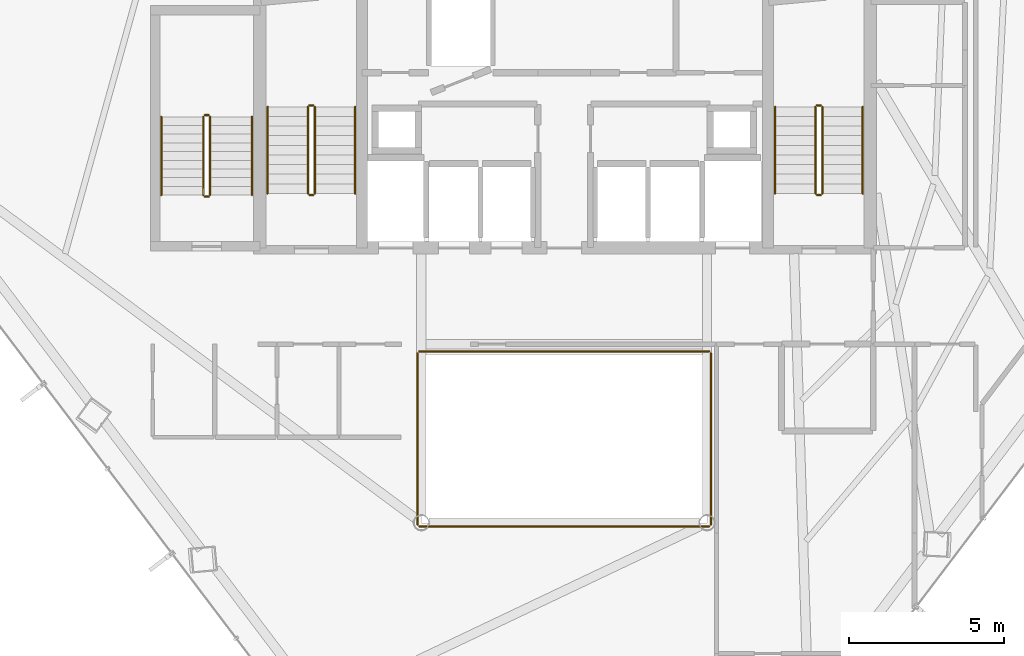
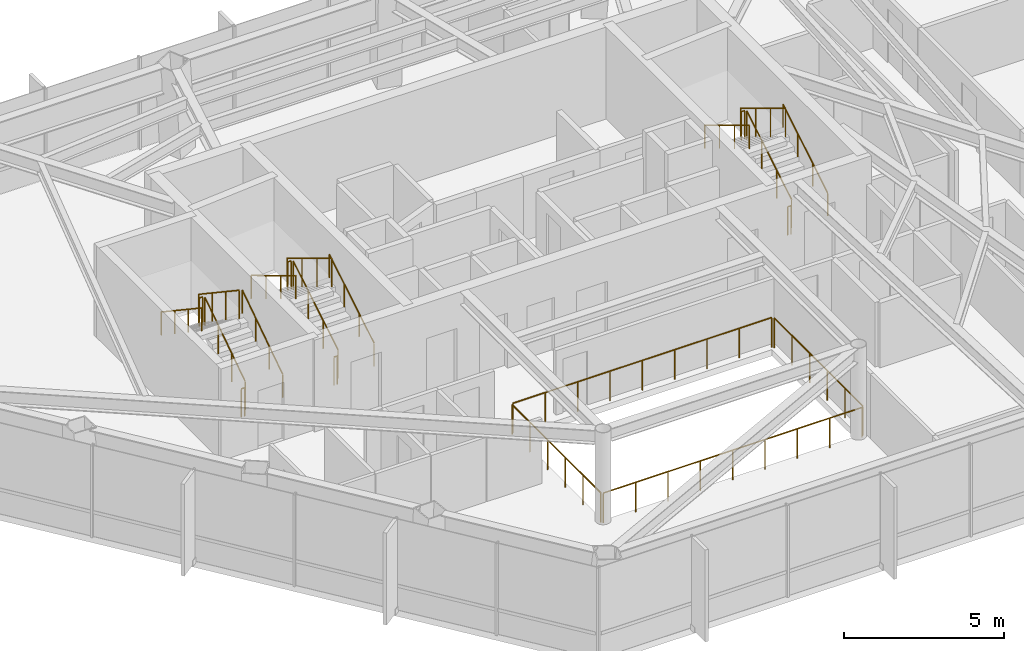
# One storey, part 29 of 29: 22 railings.
"""IFC4 building model written with IfcOpenShell, lengths in metres."""

from ifc_helpers import new_model, si_unit, direction, frame, origin, origin_2d, place, context, subcontext, project, spatial, circle, extrude, material, type_object, element, save


model = new_model("IFC4")

# Units and contexts
model_context = context("Model", 3, precision=1e-05, world=origin(), true_north=direction((0.0, 1.0)))
body_context = subcontext(model_context, "Body", "Model", "MODEL_VIEW")
ifc_project = project(units=[si_unit("LENGTHUNIT", "METRE"), si_unit("AREAUNIT", "SQUARE_METRE"), si_unit("VOLUMEUNIT", "CUBIC_METRE"), si_unit("PLANEANGLEUNIT", "RADIAN"), si_unit("MASSUNIT", "GRAM", prefix="KILO")], contexts=[model_context])

# Site, building, storey
site_placement = place(None, origin())
site = spatial("IfcSite", under=ifc_project, at=site_placement, CompositionType="ELEMENT")
building_placement = place(site_placement, origin())
building = spatial("IfcBuilding", under=site, at=building_placement, Name="Zarrinselat Tower", CompositionType="ELEMENT")
storey_placement = place(building_placement, frame((0.0, 0.0, 142.1201171875)))
storey = spatial("IfcBuildingStorey", under=building, at=storey_placement, Name="L34", CompositionType="ELEMENT", Elevation=142.1201171875)

# Railings
ifc_material_1 = material(Name="Double Low-E Laminated Solar Glass", Category="glass")
railing_type_1 = type_object("IfcRailingType", Name="RLG-ATRIUM-BAL", PredefinedType="BALUSTRADE", material=ifc_material_1)
railing_1_placement = place(storey_placement, frame((33.739990234375, 24.280029296875, 0.0)))
element("IfcRailing", 1, at=railing_1_placement, inside=storey, type_object=railing_type_1, Name="L34 Atrium Void Glass Balustrade S", PredefinedType="BALUSTRADE", context=body_context, shape_type="SweptSolid", body=[
    extrude(circle(Radius=0.02392578125, at=origin_2d()), frame((0.0, 0.0, 1.1259765625), z_axis=(1.0, 0.0, 0.0), x_axis=(0.0, 1.0, 0.0)), (0.0, 0.0, 1.0), 9.320068359375),
    extrude(circle(Radius=0.02099609375, at=origin_2d()), origin(), (0.0, 0.0, 1.0), 1.099853515625),
    extrude(circle(Radius=0.02099609375, at=origin_2d()), frame((1.1650390625, 0.0, 0.0)), (0.0, 0.0, 1.0), 1.099853515625),
    extrude(circle(Radius=0.02099609375, at=origin_2d()), frame((2.330078125, 0.0, 0.0)), (0.0, 0.0, 1.0), 1.099853515625),
    extrude(circle(Radius=0.02099609375, at=origin_2d()), frame((3.4951171875, 0.0, 0.0)), (0.0, 0.0, 1.0), 1.099853515625),
    extrude(circle(Radius=0.02099609375, at=origin_2d()), frame((4.66015625, 0.0, 0.0)), (0.0, 0.0, 1.0), 1.099853515625),
    extrude(circle(Radius=0.02099609375, at=origin_2d()), frame((5.824951171875, 0.0, 0.0)), (0.0, 0.0, 1.0), 1.099853515625),
    extrude(circle(Radius=0.02099609375, at=origin_2d()), frame((6.989990234375, 0.0, 0.0)), (0.0, 0.0, 1.0), 1.099853515625),
    extrude(circle(Radius=0.02099609375, at=origin_2d()), frame((8.155029296875, 0.0, 0.0)), (0.0, 0.0, 1.0), 1.099853515625),
    extrude(circle(Radius=0.02099609375, at=origin_2d()), frame((9.320068359375, 0.0, 0.0)), (0.0, 0.0, 1.0), 1.099853515625),
])
railing_2_placement = place(storey_placement, frame((43.1201171875, 24.340087890625, 0.0)))
element("IfcRailing", 2, at=railing_2_placement, inside=storey, type_object=railing_type_1, Name="L34 Atrium Void Glass Balustrade E", PredefinedType="BALUSTRADE", context=body_context, shape_type="SweptSolid", body=[
    extrude(circle(Radius=0.02392578125, at=origin_2d()), frame((0.0, 0.0, 1.1259765625), z_axis=(0.0, 1.0, 0.0), x_axis=(-1.0, 0.0, 0.0)), (0.0, 0.0, 1.0), 5.52001953125),
    extrude(circle(Radius=0.02099609375, at=origin_2d()), origin(), (0.0, 0.0, 1.0), 1.099853515625),
    extrude(circle(Radius=0.02099609375, at=origin_2d()), frame((0.0, 1.10400390625, 0.0)), (0.0, 0.0, 1.0), 1.099853515625),
    extrude(circle(Radius=0.02099609375, at=origin_2d()), frame((0.0, 2.2080078125, 0.0)), (0.0, 0.0, 1.0), 1.099853515625),
    extrude(circle(Radius=0.02099609375, at=origin_2d()), frame((0.0, 3.31201171875, 0.0)), (0.0, 0.0, 1.0), 1.099853515625),
    extrude(circle(Radius=0.02099609375, at=origin_2d()), frame((0.0, 4.416015625, 0.0)), (0.0, 0.0, 1.0), 1.099853515625),
    extrude(circle(Radius=0.02099609375, at=origin_2d()), frame((0.0, 5.52001953125, 0.0)), (0.0, 0.0, 1.0), 1.099853515625),
])
railing_3_placement = place(storey_placement, frame((43.06005859375, 29.919921875, 0.0)))
element("IfcRailing", 3, at=railing_3_placement, inside=storey, type_object=railing_type_1, Name="L34 Atrium Void Glass Balustrade N", PredefinedType="BALUSTRADE", context=body_context, shape_type="SweptSolid", body=[
    extrude(circle(Radius=0.02392578125, at=origin_2d()), frame((0.0, 0.0, 1.1259765625), z_axis=(-1.0, 0.0, 0.0), x_axis=(0.0, -1.0, 0.0)), (0.0, 0.0, 1.0), 9.320068359375),
    extrude(circle(Radius=0.02099609375, at=origin_2d()), origin(), (0.0, 0.0, 1.0), 1.099853515625),
    extrude(circle(Radius=0.02099609375, at=origin_2d()), frame((-1.1650390625, 0.0, 0.0)), (0.0, 0.0, 1.0), 1.099853515625),
    extrude(circle(Radius=0.02099609375, at=origin_2d()), frame((-2.330078125, 0.0, 0.0)), (0.0, 0.0, 1.0), 1.099853515625),
    extrude(circle(Radius=0.02099609375, at=origin_2d()), frame((-3.4951171875, 0.0, 0.0)), (0.0, 0.0, 1.0), 1.099853515625),
    extrude(circle(Radius=0.02099609375, at=origin_2d()), frame((-4.66015625, 0.0, 0.0)), (0.0, 0.0, 1.0), 1.099853515625),
    extrude(circle(Radius=0.02099609375, at=origin_2d()), frame((-5.824951171875, 0.0, 0.0)), (0.0, 0.0, 1.0), 1.099853515625),
    extrude(circle(Radius=0.02099609375, at=origin_2d()), frame((-6.989990234375, 0.0, 0.0)), (0.0, 0.0, 1.0), 1.099853515625),
    extrude(circle(Radius=0.02099609375, at=origin_2d()), frame((-8.155029296875, 0.0, 0.0)), (0.0, 0.0, 1.0), 1.099853515625),
    extrude(circle(Radius=0.02099609375, at=origin_2d()), frame((-9.320068359375, 0.0, 0.0)), (0.0, 0.0, 1.0), 1.099853515625),
])
railing_4_placement = place(storey_placement, frame((33.679931640625, 29.860107421875, 0.0)))
element("IfcRailing", 4, at=railing_4_placement, inside=storey, type_object=railing_type_1, Name="L34 Atrium Void Glass Balustrade W", PredefinedType="BALUSTRADE", context=body_context, shape_type="SweptSolid", body=[
    extrude(circle(Radius=0.02392578125, at=origin_2d()), frame((0.0, 0.0, 1.1259765625), z_axis=(0.0, -1.0, 0.0), x_axis=(1.0, 0.0, 0.0)), (0.0, 0.0, 1.0), 5.52001953125),
    extrude(circle(Radius=0.02099609375, at=origin_2d()), origin(), (0.0, 0.0, 1.0), 1.099853515625),
    extrude(circle(Radius=0.02099609375, at=origin_2d()), frame((0.0, -1.10400390625, 0.0)), (0.0, 0.0, 1.0), 1.099853515625),
    extrude(circle(Radius=0.02099609375, at=origin_2d()), frame((0.0, -2.2080078125, 0.0)), (0.0, 0.0, 1.0), 1.099853515625),
    extrude(circle(Radius=0.02099609375, at=origin_2d()), frame((0.0, -3.31201171875, 0.0)), (0.0, 0.0, 1.0), 1.099853515625),
    extrude(circle(Radius=0.02099609375, at=origin_2d()), frame((0.0, -4.416015625, 0.0)), (0.0, 0.0, 1.0), 1.099853515625),
    extrude(circle(Radius=0.02099609375, at=origin_2d()), frame((0.0, -5.52001953125, 0.0)), (0.0, 0.0, 1.0), 1.099853515625),
])
ifc_material_2 = material(Name="Steel S355J2", Category="steel")
railing_type_2 = type_object("IfcRailingType", Name="RLG-STAIR-GUARD", PredefinedType="GUARDRAIL", material=ifc_material_2)
railing_5_placement = place(storey_placement, frame((30.3701171875, 35.0, 0.186767578125)))
element("IfcRailing", 5, at=railing_5_placement, inside=storey, type_object=railing_type_2, Name="L34 ST-1 stair guard 1", PredefinedType="GUARDRAIL", context=body_context, shape_type="SweptSolid", body=[
    extrude(circle(Radius=0.02392578125, at=origin_2d()), frame((0.0, 0.0, 1.076171875), z_axis=(0.0, 0.856260799362, 0.516543747882), x_axis=(-1.0, 0.0, 0.0)), (0.0, 0.0, 1.0), 3.25830078125),
    extrude(circle(Radius=0.02099609375, at=origin_2d()), origin(), (0.0, 0.0, 1.0), 1.050048828125),
    extrude(circle(Radius=0.02099609375, at=origin_2d()), frame((0.0, 0.929931640625, 0.56103515625)), (0.0, 0.0, 1.0), 1.050048828125),
    extrude(circle(Radius=0.02099609375, at=origin_2d()), frame((0.0, 1.860107421875, 1.1220703125)), (0.0, 0.0, 1.0), 1.050048828125),
    extrude(circle(Radius=0.02099609375, at=origin_2d()), frame((0.0, 2.7900390625, 1.68310546875)), (0.0, 0.0, 1.0), 1.050048828125),
])
railing_6_placement = place(storey_placement, frame((30.320068359375, 37.840087890625, 1.869873046875)))
element("IfcRailing", 6, at=railing_6_placement, inside=storey, type_object=railing_type_2, Name="L34 ST-1 stair guard 2", PredefinedType="GUARDRAIL", context=body_context, shape_type="SweptSolid", body=[
    extrude(circle(Radius=0.02392578125, at=origin_2d()), frame((0.0, 0.0, 1.076171875), z_axis=(-1.0, 0.0, 0.0), x_axis=(0.0, -1.0, 0.0)), (0.0, 0.0, 1.0), 0.1201171875),
    extrude(circle(Radius=0.02099609375, at=origin_2d()), origin(), (0.0, 0.0, 1.0), 1.050048828125),
    extrude(circle(Radius=0.02099609375, at=origin_2d()), frame((-0.1201171875, 0.0, 0.0)), (0.0, 0.0, 1.0), 1.050048828125),
])
railing_7_placement = place(storey_placement, frame((30.14990234375, 37.7900390625, 2.056884765625)))
element("IfcRailing", 7, at=railing_7_placement, inside=storey, type_object=railing_type_2, Name="L34 ST-1 stair guard 3", PredefinedType="GUARDRAIL", context=body_context, shape_type="SweptSolid", body=[
    extrude(circle(Radius=0.02392578125, at=origin_2d()), frame((0.0, 0.0, 1.076171875), z_axis=(0.0, -0.856260799362, 0.516543747882), x_axis=(1.0, 0.0, 0.0)), (0.0, 0.0, 1.0), 3.25830078125),
    extrude(circle(Radius=0.02099609375, at=origin_2d()), origin(), (0.0, 0.0, 1.0), 1.050048828125),
    extrude(circle(Radius=0.02099609375, at=origin_2d()), frame((0.0, -0.929931640625, 0.56103515625)), (0.0, 0.0, 1.0), 1.050048828125),
    extrude(circle(Radius=0.02099609375, at=origin_2d()), frame((0.0, -1.860107421875, 1.1220703125)), (0.0, 0.0, 1.0), 1.050048828125),
    extrude(circle(Radius=0.02099609375, at=origin_2d()), frame((0.0, -2.7900390625, 1.68310546875)), (0.0, 0.0, 1.0), 1.050048828125),
])
railing_8_placement = place(storey_placement, frame((30.320068359375, 34.949951171875, 0.0)))
element("IfcRailing", 8, at=railing_8_placement, inside=storey, type_object=railing_type_2, Name="L34 ST-1 stair guard 4", PredefinedType="GUARDRAIL", context=body_context, shape_type="SweptSolid", body=[
    extrude(circle(Radius=0.02392578125, at=origin_2d()), frame((0.0, 0.0, 1.076171875), z_axis=(-1.0, 0.0, 0.0), x_axis=(0.0, -1.0, 0.0)), (0.0, 0.0, 1.0), 0.1201171875),
    extrude(circle(Radius=0.02099609375, at=origin_2d()), origin(), (0.0, 0.0, 1.0), 1.050048828125),
    extrude(circle(Radius=0.02099609375, at=origin_2d()), frame((-0.1201171875, 0.0, 0.0)), (0.0, 0.0, 1.0), 1.050048828125),
])
railing_9_placement = place(storey_placement, frame((46.7099609375, 35.0, 0.186767578125)))
element("IfcRailing", 9, at=railing_9_placement, inside=storey, type_object=railing_type_2, Name="L34 ST-2 stair guard 1", PredefinedType="GUARDRAIL", context=body_context, shape_type="SweptSolid", body=[
    extrude(circle(Radius=0.02392578125, at=origin_2d()), frame((0.0, 0.0, 1.076171875), z_axis=(0.0, 0.856260799362, 0.516543747882), x_axis=(-1.0, 0.0, 0.0)), (0.0, 0.0, 1.0), 3.25830078125),
    extrude(circle(Radius=0.02099609375, at=origin_2d()), origin(), (0.0, 0.0, 1.0), 1.050048828125),
    extrude(circle(Radius=0.02099609375, at=origin_2d()), frame((0.0, 0.929931640625, 0.56103515625)), (0.0, 0.0, 1.0), 1.050048828125),
    extrude(circle(Radius=0.02099609375, at=origin_2d()), frame((0.0, 1.860107421875, 1.1220703125)), (0.0, 0.0, 1.0), 1.050048828125),
    extrude(circle(Radius=0.02099609375, at=origin_2d()), frame((0.0, 2.7900390625, 1.68310546875)), (0.0, 0.0, 1.0), 1.050048828125),
])
railing_10_placement = place(storey_placement, frame((46.659912109375, 37.840087890625, 1.869873046875)))
element("IfcRailing", 10, at=railing_10_placement, inside=storey, type_object=railing_type_2, Name="L34 ST-2 stair guard 2", PredefinedType="GUARDRAIL", context=body_context, shape_type="SweptSolid", body=[
    extrude(circle(Radius=0.02392578125, at=origin_2d()), frame((0.0, 0.0, 1.076171875), z_axis=(-1.0, 0.0, 0.0), x_axis=(0.0, -1.0, 0.0)), (0.0, 0.0, 1.0), 0.119873046875),
    extrude(circle(Radius=0.02099609375, at=origin_2d()), origin(), (0.0, 0.0, 1.0), 1.050048828125),
    extrude(circle(Radius=0.02099609375, at=origin_2d()), frame((-0.119873046875, 0.0, 0.0)), (0.0, 0.0, 1.0), 1.050048828125),
])
railing_11_placement = place(storey_placement, frame((46.489990234375, 37.7900390625, 2.056884765625)))
element("IfcRailing", 11, at=railing_11_placement, inside=storey, type_object=railing_type_2, Name="L34 ST-2 stair guard 3", PredefinedType="GUARDRAIL", context=body_context, shape_type="SweptSolid", body=[
    extrude(circle(Radius=0.02392578125, at=origin_2d()), frame((0.0, 0.0, 1.076171875), z_axis=(0.0, -0.856260799362, 0.516543747882), x_axis=(1.0, 0.0, 0.0)), (0.0, 0.0, 1.0), 3.25830078125),
    extrude(circle(Radius=0.02099609375, at=origin_2d()), origin(), (0.0, 0.0, 1.0), 1.050048828125),
    extrude(circle(Radius=0.02099609375, at=origin_2d()), frame((0.0, -0.929931640625, 0.56103515625)), (0.0, 0.0, 1.0), 1.050048828125),
    extrude(circle(Radius=0.02099609375, at=origin_2d()), frame((0.0, -1.860107421875, 1.1220703125)), (0.0, 0.0, 1.0), 1.050048828125),
    extrude(circle(Radius=0.02099609375, at=origin_2d()), frame((0.0, -2.7900390625, 1.68310546875)), (0.0, 0.0, 1.0), 1.050048828125),
])
railing_12_placement = place(storey_placement, frame((46.659912109375, 34.949951171875, 0.0)))
element("IfcRailing", 12, at=railing_12_placement, inside=storey, type_object=railing_type_2, Name="L34 ST-2 stair guard 4", PredefinedType="GUARDRAIL", context=body_context, shape_type="SweptSolid", body=[
    extrude(circle(Radius=0.02392578125, at=origin_2d()), frame((0.0, 0.0, 1.076171875), z_axis=(-1.0, 0.0, 0.0), x_axis=(0.0, -1.0, 0.0)), (0.0, 0.0, 1.0), 0.119873046875),
    extrude(circle(Radius=0.02099609375, at=origin_2d()), origin(), (0.0, 0.0, 1.0), 1.050048828125),
    extrude(circle(Radius=0.02099609375, at=origin_2d()), frame((-0.119873046875, 0.0, 0.0)), (0.0, 0.0, 1.0), 1.050048828125),
])
railing_13_placement = place(storey_placement, frame((27.0, 34.949951171875, 0.186767578125)))
element("IfcRailing", 13, at=railing_13_placement, inside=storey, type_object=railing_type_2, Name="L34 ST-3 stair guard 1", PredefinedType="GUARDRAIL", context=body_context, shape_type="SweptSolid", body=[
    extrude(circle(Radius=0.02392578125, at=origin_2d()), frame((0.0, 0.0, 1.076171875), z_axis=(0.0, 0.831579006341, 0.555406478368), x_axis=(-1.0, 0.0, 0.0)), (0.0, 0.0, 1.0), 3.030517578125),
    extrude(circle(Radius=0.02099609375, at=origin_2d()), origin(), (0.0, 0.0, 1.0), 1.050048828125),
    extrude(circle(Radius=0.02099609375, at=origin_2d()), frame((0.0, 0.840087890625, 0.56103515625)), (0.0, 0.0, 1.0), 1.050048828125),
    extrude(circle(Radius=0.02099609375, at=origin_2d()), frame((0.0, 1.679931640625, 1.1220703125)), (0.0, 0.0, 1.0), 1.050048828125),
    extrude(circle(Radius=0.02099609375, at=origin_2d()), frame((0.0, 2.52001953125, 1.68310546875)), (0.0, 0.0, 1.0), 1.050048828125),
])
railing_14_placement = place(storey_placement, frame((26.949951171875, 37.52001953125, 1.869873046875)))
element("IfcRailing", 14, at=railing_14_placement, inside=storey, type_object=railing_type_2, Name="L34 ST-3 stair guard 2", PredefinedType="GUARDRAIL", context=body_context, shape_type="SweptSolid", body=[
    extrude(circle(Radius=0.02392578125, at=origin_2d()), frame((0.0, 0.0, 1.076171875), z_axis=(-1.0, 0.0, 0.0), x_axis=(0.0, -1.0, 0.0)), (0.0, 0.0, 1.0), 0.119873046875),
    extrude(circle(Radius=0.02099609375, at=origin_2d()), origin(), (0.0, 0.0, 1.0), 1.050048828125),
    extrude(circle(Radius=0.02099609375, at=origin_2d()), frame((-0.119873046875, 0.0, 0.0)), (0.0, 0.0, 1.0), 1.050048828125),
])
railing_15_placement = place(storey_placement, frame((26.780029296875, 37.469970703125, 2.056884765625)))
element("IfcRailing", 15, at=railing_15_placement, inside=storey, type_object=railing_type_2, Name="L34 ST-3 stair guard 3", PredefinedType="GUARDRAIL", context=body_context, shape_type="SweptSolid", body=[
    extrude(circle(Radius=0.02392578125, at=origin_2d()), frame((0.0, 0.0, 1.076171875), z_axis=(0.0, -0.831579006341, 0.555406478368), x_axis=(1.0, 0.0, 0.0)), (0.0, 0.0, 1.0), 3.030517578125),
    extrude(circle(Radius=0.02099609375, at=origin_2d()), origin(), (0.0, 0.0, 1.0), 1.050048828125),
    extrude(circle(Radius=0.02099609375, at=origin_2d()), frame((0.0, -0.840087890625, 0.56103515625)), (0.0, 0.0, 1.0), 1.050048828125),
    extrude(circle(Radius=0.02099609375, at=origin_2d()), frame((0.0, -1.679931640625, 1.1220703125)), (0.0, 0.0, 1.0), 1.050048828125),
    extrude(circle(Radius=0.02099609375, at=origin_2d()), frame((0.0, -2.52001953125, 1.68310546875)), (0.0, 0.0, 1.0), 1.050048828125),
])
railing_16_placement = place(storey_placement, frame((26.949951171875, 34.89990234375, 0.0)))
element("IfcRailing", 16, at=railing_16_placement, inside=storey, type_object=railing_type_2, Name="L34 ST-3 stair guard 4", PredefinedType="GUARDRAIL", context=body_context, shape_type="SweptSolid", body=[
    extrude(circle(Radius=0.02392578125, at=origin_2d()), frame((0.0, 0.0, 1.076171875), z_axis=(-1.0, 0.0, 0.0), x_axis=(0.0, -1.0, 0.0)), (0.0, 0.0, 1.0), 0.119873046875),
    extrude(circle(Radius=0.02099609375, at=origin_2d()), origin(), (0.0, 0.0, 1.0), 1.050048828125),
    extrude(circle(Radius=0.02099609375, at=origin_2d()), frame((-0.119873046875, 0.0, 0.0)), (0.0, 0.0, 1.0), 1.050048828125),
])
ifc_material_3 = material(Name="Steel S355J2", Category="steel")
railing_type_3 = type_object("IfcRailingType", Name="RLG-STAIR-HAND", PredefinedType="HANDRAIL", material=ifc_material_3)
railing_17_placement = place(storey_placement, frame((31.669921875, 35.0, 0.186767578125)))
element("IfcRailing", 17, at=railing_17_placement, inside=storey, type_object=railing_type_3, Name="L34 ST-1 stair handrail 1", PredefinedType="HANDRAIL", context=body_context, shape_type="SweptSolid", body=[
    extrude(circle(Radius=0.02392578125, at=origin_2d()), frame((0.0, 0.0, 0.8759765625), z_axis=(0.0, 0.856260799362, 0.516543747882), x_axis=(-1.0, 0.0, 0.0)), (0.0, 0.0, 1.0), 3.25830078125),
    extrude(circle(Radius=0.02099609375, at=origin_2d()), origin(), (0.0, 0.0, 1.0), 0.849853515625),
    extrude(circle(Radius=0.02099609375, at=origin_2d()), frame((0.0, 0.929931640625, 0.56103515625)), (0.0, 0.0, 1.0), 0.849853515625),
    extrude(circle(Radius=0.02099609375, at=origin_2d()), frame((0.0, 1.860107421875, 1.1220703125)), (0.0, 0.0, 1.0), 0.849853515625),
    extrude(circle(Radius=0.02099609375, at=origin_2d()), frame((0.0, 2.7900390625, 1.68310546875)), (0.0, 0.0, 1.0), 0.849853515625),
])
railing_18_placement = place(storey_placement, frame((28.85009765625, 37.7900390625, 2.056884765625)))
element("IfcRailing", 18, at=railing_18_placement, inside=storey, type_object=railing_type_3, Name="L34 ST-1 stair handrail 2", PredefinedType="HANDRAIL", context=body_context, shape_type="SweptSolid", body=[
    extrude(circle(Radius=0.02392578125, at=origin_2d()), frame((0.0, 0.0, 0.8759765625), z_axis=(0.0, -0.856260799362, 0.516543747882), x_axis=(1.0, 0.0, 0.0)), (0.0, 0.0, 1.0), 3.25830078125),
    extrude(circle(Radius=0.02099609375, at=origin_2d()), origin(), (0.0, 0.0, 1.0), 0.849853515625),
    extrude(circle(Radius=0.02099609375, at=origin_2d()), frame((0.0, -0.929931640625, 0.56103515625)), (0.0, 0.0, 1.0), 0.849853515625),
    extrude(circle(Radius=0.02099609375, at=origin_2d()), frame((0.0, -1.860107421875, 1.1220703125)), (0.0, 0.0, 1.0), 0.849853515625),
    extrude(circle(Radius=0.02099609375, at=origin_2d()), frame((0.0, -2.7900390625, 1.68310546875)), (0.0, 0.0, 1.0), 0.849853515625),
])
railing_19_placement = place(storey_placement, frame((48.010009765625, 35.0, 0.186767578125)))
element("IfcRailing", 19, at=railing_19_placement, inside=storey, type_object=railing_type_3, Name="L34 ST-2 stair handrail 1", PredefinedType="HANDRAIL", context=body_context, shape_type="SweptSolid", body=[
    extrude(circle(Radius=0.02392578125, at=origin_2d()), frame((0.0, 0.0, 0.8759765625), z_axis=(0.0, 0.856260799362, 0.516543747882), x_axis=(-1.0, 0.0, 0.0)), (0.0, 0.0, 1.0), 3.25830078125),
    extrude(circle(Radius=0.02099609375, at=origin_2d()), origin(), (0.0, 0.0, 1.0), 0.849853515625),
    extrude(circle(Radius=0.02099609375, at=origin_2d()), frame((0.0, 0.929931640625, 0.56103515625)), (0.0, 0.0, 1.0), 0.849853515625),
    extrude(circle(Radius=0.02099609375, at=origin_2d()), frame((0.0, 1.860107421875, 1.1220703125)), (0.0, 0.0, 1.0), 0.849853515625),
    extrude(circle(Radius=0.02099609375, at=origin_2d()), frame((0.0, 2.7900390625, 1.68310546875)), (0.0, 0.0, 1.0), 0.849853515625),
])
railing_20_placement = place(storey_placement, frame((45.18994140625, 37.7900390625, 2.056884765625)))
element("IfcRailing", 20, at=railing_20_placement, inside=storey, type_object=railing_type_3, Name="L34 ST-2 stair handrail 2", PredefinedType="HANDRAIL", context=body_context, shape_type="SweptSolid", body=[
    extrude(circle(Radius=0.02392578125, at=origin_2d()), frame((0.0, 0.0, 0.8759765625), z_axis=(0.0, -0.856260799362, 0.516543747882), x_axis=(1.0, 0.0, 0.0)), (0.0, 0.0, 1.0), 3.25830078125),
    extrude(circle(Radius=0.02099609375, at=origin_2d()), origin(), (0.0, 0.0, 1.0), 0.849853515625),
    extrude(circle(Radius=0.02099609375, at=origin_2d()), frame((0.0, -0.929931640625, 0.56103515625)), (0.0, 0.0, 1.0), 0.849853515625),
    extrude(circle(Radius=0.02099609375, at=origin_2d()), frame((0.0, -1.860107421875, 1.1220703125)), (0.0, 0.0, 1.0), 0.849853515625),
    extrude(circle(Radius=0.02099609375, at=origin_2d()), frame((0.0, -2.7900390625, 1.68310546875)), (0.0, 0.0, 1.0), 0.849853515625),
])
railing_21_placement = place(storey_placement, frame((28.35009765625, 34.949951171875, 0.186767578125)))
element("IfcRailing", 21, at=railing_21_placement, inside=storey, type_object=railing_type_3, Name="L34 ST-3 stair handrail 1", PredefinedType="HANDRAIL", context=body_context, shape_type="SweptSolid", body=[
    extrude(circle(Radius=0.02392578125, at=origin_2d()), frame((0.0, 0.0, 0.8759765625), z_axis=(0.0, 0.831579006341, 0.555406478368), x_axis=(-1.0, 0.0, 0.0)), (0.0, 0.0, 1.0), 3.030517578125),
    extrude(circle(Radius=0.02099609375, at=origin_2d()), origin(), (0.0, 0.0, 1.0), 0.849853515625),
    extrude(circle(Radius=0.02099609375, at=origin_2d()), frame((0.0, 0.840087890625, 0.56103515625)), (0.0, 0.0, 1.0), 0.849853515625),
    extrude(circle(Radius=0.02099609375, at=origin_2d()), frame((0.0, 1.679931640625, 1.1220703125)), (0.0, 0.0, 1.0), 0.849853515625),
    extrude(circle(Radius=0.02099609375, at=origin_2d()), frame((0.0, 2.52001953125, 1.68310546875)), (0.0, 0.0, 1.0), 0.849853515625),
])
railing_22_placement = place(storey_placement, frame((25.429931640625, 37.469970703125, 2.056884765625)))
element("IfcRailing", 22, at=railing_22_placement, inside=storey, type_object=railing_type_3, Name="L34 ST-3 stair handrail 2", PredefinedType="HANDRAIL", context=body_context, shape_type="SweptSolid", body=[
    extrude(circle(Radius=0.02392578125, at=origin_2d()), frame((0.0, 0.0, 0.8759765625), z_axis=(0.0, -0.831579006341, 0.555406478368), x_axis=(1.0, 0.0, 0.0)), (0.0, 0.0, 1.0), 3.030517578125),
    extrude(circle(Radius=0.02099609375, at=origin_2d()), origin(), (0.0, 0.0, 1.0), 0.849853515625),
    extrude(circle(Radius=0.02099609375, at=origin_2d()), frame((0.0, -0.840087890625, 0.56103515625)), (0.0, 0.0, 1.0), 0.849853515625),
    extrude(circle(Radius=0.02099609375, at=origin_2d()), frame((0.0, -1.679931640625, 1.1220703125)), (0.0, 0.0, 1.0), 0.849853515625),
    extrude(circle(Radius=0.02099609375, at=origin_2d()), frame((0.0, -2.52001953125, 1.68310546875)), (0.0, 0.0, 1.0), 0.849853515625),
])

save(model, "model.ifc")
